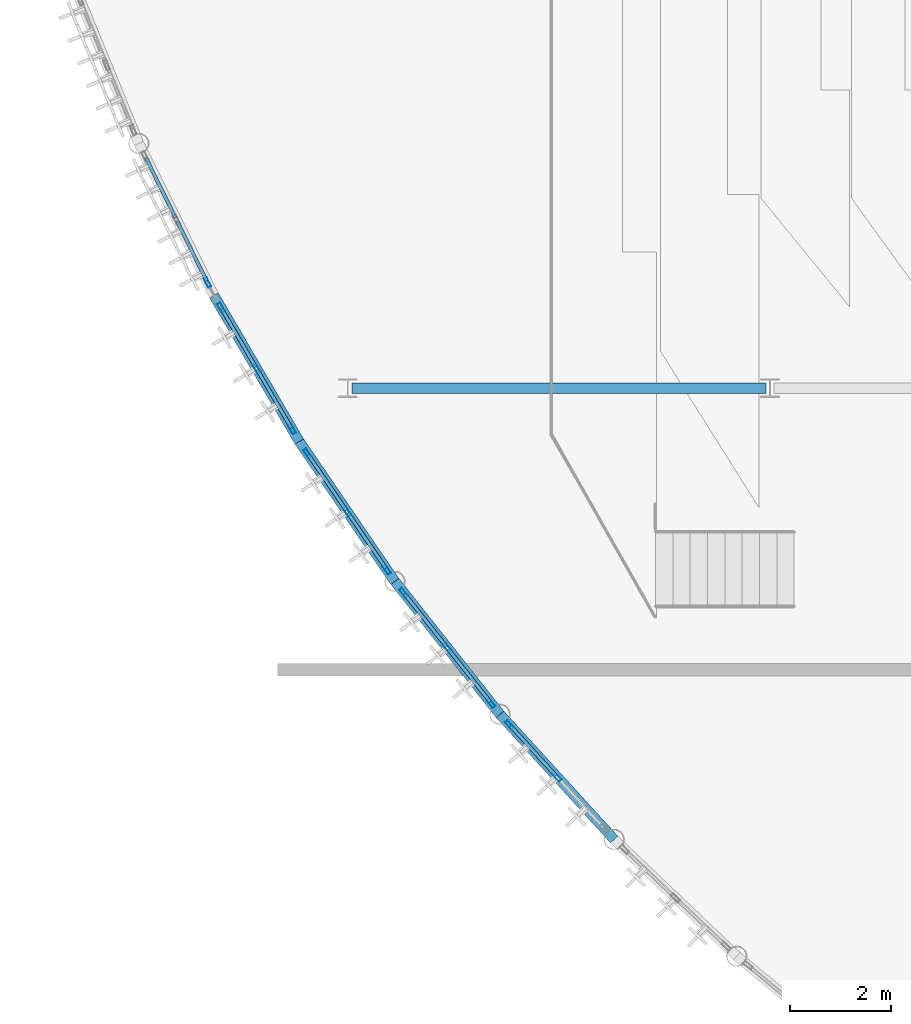
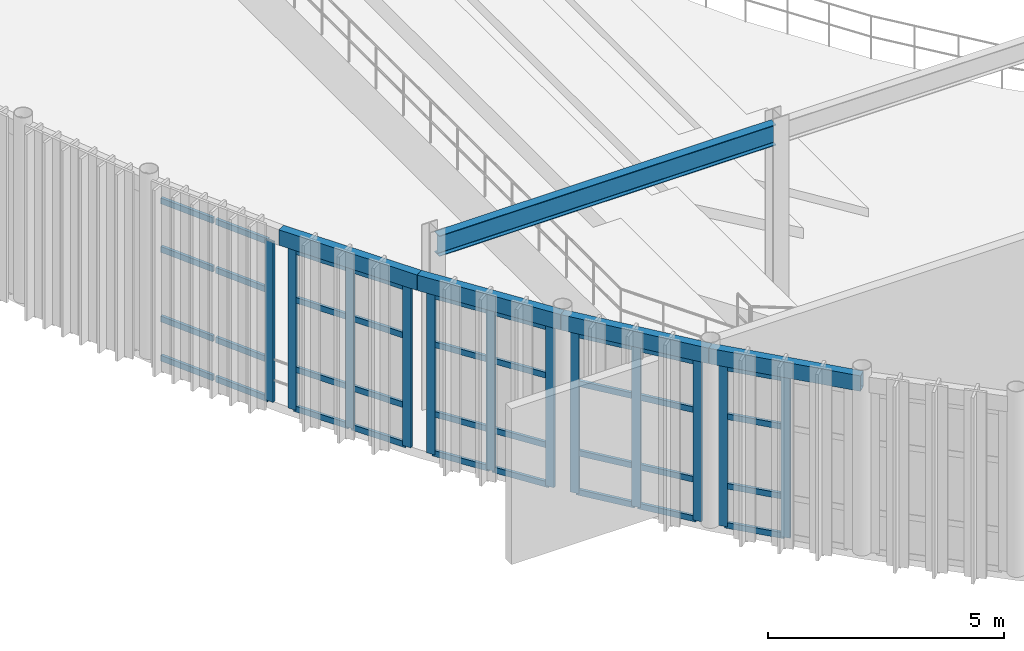
# One storey, part 23 of 116: 48 members, 5 beams, 5 elements without a shape of their own.
"""IFC4 building model written with IfcOpenShell, lengths in metres."""

from ifc_helpers import new_model, si_unit, direction, frame, origin, origin_2d, place, context, subcontext, project, spatial, hollow_rectangle, i_section, extrude, material, layer, layer_set, material_profile, profile_set, type_object, element, aggregate, save


model = new_model("IFC4")

# Units and contexts
model_context = context("Model", 3, precision=1e-05, world=origin(), true_north=direction((0.0, 1.0)))
body_context = subcontext(model_context, "Body", "Model", "MODEL_VIEW")
ifc_project = project(units=[si_unit("LENGTHUNIT", "METRE"), si_unit("AREAUNIT", "SQUARE_METRE"), si_unit("VOLUMEUNIT", "CUBIC_METRE"), si_unit("PLANEANGLEUNIT", "RADIAN"), si_unit("MASSUNIT", "GRAM", prefix="KILO")], contexts=[model_context])

# Site, building, storey
site_placement = place(None, origin())
site = spatial("IfcSite", under=ifc_project, at=site_placement, CompositionType="ELEMENT")
building_placement = place(site_placement, origin())
building = spatial("IfcBuilding", under=site, at=building_placement, Name="Selat Folded Stagehouse", CompositionType="ELEMENT")
storey_placement = place(building_placement, frame((0.0, 0.0, 5.39990234375)))
storey = spatial("IfcBuildingStorey", under=building, at=storey_placement, Name="L01", CompositionType="ELEMENT", Elevation=5.39990234375)

# Beam
ifc_material_1 = material(Name="Steel S355", Category="steel")
ifc_material_profile_1 = material_profile(ifc_material_1, i_section(OverallWidth=0.209228515625, OverallDepth=0.533203125, WebThickness=0.010009765625, FlangeThickness=0.015625, FilletRadius=0.0126953125, at=origin_2d()), Name="UKB 533x210x92")
ifc_profile_set_1 = profile_set([ifc_material_profile_1], Name="Steel S355")
beam_type_1 = type_object("IfcBeamType", Name="BM-GIRD-533x210x92", PredefinedType="BEAM", material=ifc_profile_set_1)
beam_placement = place(storey_placement, frame((8.47998046875, 23.39990234375, 4.3134765625), z_axis=(1.0, 0.0, 0.0), x_axis=(0.0, 1.0, 0.0)))
element("IfcBeam", 1, at=beam_placement, inside=storey, type_object=beam_type_1, Name="L01 primary x-girder 0776", PredefinedType="BEAM", context=body_context, shape_type="SweptSolid", body=[
    extrude(i_section(OverallWidth=0.209228515625, OverallDepth=0.533203125, WebThickness=0.010009765625, FlangeThickness=0.015625, FilletRadius=0.0126953125, at=origin_2d()), origin(), (0.0, 0.0, 1.0), 8.239990234375),
])

# Curtain wall, member
ifc_material_2 = material(Name="Aluminium 6063-T6", Category="aluminium")
ifc_layer = layer(ifc_material_2, 0.199951171875)
ifc_layer_set = layer_set([ifc_layer], Name="Aluminium 6063-T6")
curtain_wall_type = type_object("IfcCurtainWallType", Name="CW-DRM-MID", PredefinedType="NOTDEFINED", material=ifc_layer_set)
curtain_wall_1_placement = place(storey_placement, origin())
curtain_wall_1 = element("IfcCurtainWall", 2, at=curtain_wall_1_placement, inside=storey, type_object=curtain_wall_type, Name="L01 curtain wall CW-DRM-L01-08", PredefinedType="NOTDEFINED")
ifc_material_profile_2 = material_profile(ifc_material_2, hollow_rectangle(XDim=0.070068359375, YDim=0.199951171875, WallThickness=0.0048828125, at=origin_2d()), Name="ALU 200x70x5.0")
ifc_profile_set_2 = profile_set([ifc_material_profile_2], Name="Aluminium 6063-T6")
member_type_1 = type_object("IfcMemberType", Name="CWM-MUL-200x70", PredefinedType="MULLION", material=ifc_profile_set_2)
member_1_placement = place(storey_placement, frame((5.60986328125, 25.501220703125, 0.0), z_axis=(0.0, 0.0, 1.0), x_axis=(-0.896598356392, -0.442844653705, 0.0)))
member_1 = element("IfcMember", 3, at=member_1_placement, type_object=member_type_1, Name="CW-02 mullion 1", PredefinedType="MULLION", context=body_context, shape_type="SweptSolid", body=[
    extrude(hollow_rectangle(XDim=0.070068359375, YDim=0.199951171875, WallThickness=0.0048828125, at=origin_2d()), origin(), (0.0, 0.0, 1.0), 4.14013671875),
])

# Curtain wall, members
curtain_wall_2_placement = place(storey_placement, origin())
curtain_wall_2 = element("IfcCurtainWall", 4, at=curtain_wall_2_placement, inside=storey, type_object=curtain_wall_type, Name="L01 curtain wall CW-DRM-L01-09", PredefinedType="NOTDEFINED")
member_2_placement = place(storey_placement, frame((7.292236328125, 22.583251953125, 0.0), z_axis=(0.0, 0.0, 1.0), x_axis=(-0.863332305214, -0.504635839764, 0.0)))
member_2 = element("IfcMember", 5, at=member_2_placement, type_object=member_type_1, Name="CW-02 mullion 1", PredefinedType="MULLION", context=body_context, shape_type="SweptSolid", body=[
    extrude(hollow_rectangle(XDim=0.070068359375, YDim=0.199951171875, WallThickness=0.0048828125, at=origin_2d()), origin(), (0.0, 0.0, 1.0), 4.14013671875),
])
member_3_placement = place(storey_placement, frame((6.586181640625, 23.79150390625, 0.0), z_axis=(0.0, 0.0, 1.0), x_axis=(-0.863332305214, -0.504635839764, 0.0)))
member_3 = element("IfcMember", 6, at=member_3_placement, type_object=member_type_1, Name="CW-02 mullion 2", PredefinedType="MULLION", context=body_context, shape_type="SweptSolid", body=[
    extrude(hollow_rectangle(XDim=0.070068359375, YDim=0.199951171875, WallThickness=0.0048828125, at=origin_2d()), origin(), (0.0, 0.0, 1.0), 4.14013671875),
])
member_4_placement = place(storey_placement, frame((5.8798828125, 24.999755859375, 0.0), z_axis=(0.0, 0.0, 1.0), x_axis=(-0.863332305214, -0.504635839764, 0.0)))
member_4 = element("IfcMember", 7, at=member_4_placement, type_object=member_type_1, Name="CW-02 mullion 3", PredefinedType="MULLION", context=body_context, shape_type="SweptSolid", body=[
    extrude(hollow_rectangle(XDim=0.070068359375, YDim=0.199951171875, WallThickness=0.0048828125, at=origin_2d()), origin(), (0.0, 0.0, 1.0), 4.14013671875),
])

curtain_wall_3_placement = place(storey_placement, origin())
curtain_wall_3 = element("IfcCurtainWall", 8, at=curtain_wall_3_placement, inside=storey, type_object=curtain_wall_type, Name="L01 curtain wall CW-DRM-L01-10", PredefinedType="NOTDEFINED")
member_5_placement = place(storey_placement, frame((9.175537109375, 19.790283203125, 0.0), z_axis=(0.0, 0.0, 1.0), x_axis=(-0.825810483709, -0.563947732504, 0.0)))
member_5 = element("IfcMember", 9, at=member_5_placement, type_object=member_type_1, Name="CW-02 mullion 1", PredefinedType="MULLION", context=body_context, shape_type="SweptSolid", body=[
    extrude(hollow_rectangle(XDim=0.070068359375, YDim=0.199951171875, WallThickness=0.0048828125, at=origin_2d()), origin(), (0.0, 0.0, 1.0), 4.14013671875),
])
member_6_placement = place(storey_placement, frame((8.38623046875, 20.946044921875, 0.0), z_axis=(0.0, 0.0, 1.0), x_axis=(-0.825810483709, -0.563947732504, 0.0)))
member_6 = element("IfcMember", 10, at=member_6_placement, type_object=member_type_1, Name="CW-02 mullion 2", PredefinedType="MULLION", context=body_context, shape_type="SweptSolid", body=[
    extrude(hollow_rectangle(XDim=0.070068359375, YDim=0.199951171875, WallThickness=0.0048828125, at=origin_2d()), origin(), (0.0, 0.0, 1.0), 4.14013671875),
])
member_7_placement = place(storey_placement, frame((7.596923828125, 22.101806640625, 0.0), z_axis=(0.0, 0.0, 1.0), x_axis=(-0.825810483709, -0.563947732504, 0.0)))
member_7 = element("IfcMember", 11, at=member_7_placement, type_object=member_type_1, Name="CW-02 mullion 3", PredefinedType="MULLION", context=body_context, shape_type="SweptSolid", body=[
    extrude(hollow_rectangle(XDim=0.070068359375, YDim=0.199951171875, WallThickness=0.0048828125, at=origin_2d()), origin(), (0.0, 0.0, 1.0), 4.14013671875),
])

curtain_wall_4_placement = place(storey_placement, origin())
curtain_wall_4 = element("IfcCurtainWall", 12, at=curtain_wall_4_placement, inside=storey, type_object=curtain_wall_type, Name="L01 curtain wall CW-DRM-L01-11", PredefinedType="NOTDEFINED")
member_8_placement = place(storey_placement, frame((11.25, 17.13671875, 0.0), z_axis=(0.0, 0.0, 1.0), x_axis=(-0.784180094825, -0.620533301992, 0.0)))
member_8 = element("IfcMember", 13, at=member_8_placement, type_object=member_type_1, Name="CW-02 mullion 1", PredefinedType="MULLION", context=body_context, shape_type="SweptSolid", body=[
    extrude(hollow_rectangle(XDim=0.070068359375, YDim=0.199951171875, WallThickness=0.0048828125, at=origin_2d()), origin(), (0.0, 0.0, 1.0), 4.14013671875),
])
member_9_placement = place(storey_placement, frame((10.38134765625, 18.234130859375, 0.0), z_axis=(0.0, 0.0, 1.0), x_axis=(-0.784180094825, -0.620533301992, 0.0)))
member_9 = element("IfcMember", 14, at=member_9_placement, type_object=member_type_1, Name="CW-02 mullion 2", PredefinedType="MULLION", context=body_context, shape_type="SweptSolid", body=[
    extrude(hollow_rectangle(XDim=0.070068359375, YDim=0.199951171875, WallThickness=0.0048828125, at=origin_2d()), origin(), (0.0, 0.0, 1.0), 4.14013671875),
])
member_10_placement = place(storey_placement, frame((9.512939453125, 19.33154296875, 0.0), z_axis=(0.0, 0.0, 1.0), x_axis=(-0.784180094825, -0.620533301992, 0.0)))
member_10 = element("IfcMember", 15, at=member_10_placement, type_object=member_type_1, Name="CW-02 mullion 3", PredefinedType="MULLION", context=body_context, shape_type="SweptSolid", body=[
    extrude(hollow_rectangle(XDim=0.070068359375, YDim=0.199951171875, WallThickness=0.0048828125, at=origin_2d()), origin(), (0.0, 0.0, 1.0), 4.14013671875),
])

curtain_wall_5_placement = place(storey_placement, origin())
curtain_wall_5 = element("IfcCurtainWall", 16, at=curtain_wall_5_placement, inside=storey, type_object=curtain_wall_type, Name="L01 curtain wall CW-DRM-L01-12", PredefinedType="NOTDEFINED")
member_11_placement = place(storey_placement, frame((12.56201171875, 15.668701171875, 0.0), z_axis=(0.0, 0.0, 1.0), x_axis=(-0.738729183213, -0.674002369336, 0.0)))
member_11 = element("IfcMember", 17, at=member_11_placement, type_object=member_type_1, Name="CW-02 mullion 2", PredefinedType="MULLION", context=body_context, shape_type="SweptSolid", body=[
    extrude(hollow_rectangle(XDim=0.070068359375, YDim=0.199951171875, WallThickness=0.0048828125, at=origin_2d()), origin(), (0.0, 0.0, 1.0), 4.14013671875),
])
member_12_placement = place(storey_placement, frame((11.618896484375, 16.70263671875, 0.0), z_axis=(0.0, 0.0, 1.0), x_axis=(-0.738729183213, -0.674002369336, 0.0)))
member_12 = element("IfcMember", 18, at=member_12_placement, type_object=member_type_1, Name="CW-02 mullion 3", PredefinedType="MULLION", context=body_context, shape_type="SweptSolid", body=[
    extrude(hollow_rectangle(XDim=0.070068359375, YDim=0.199951171875, WallThickness=0.0048828125, at=origin_2d()), origin(), (0.0, 0.0, 1.0), 4.14013671875),
])

# Member
ifc_material_profile_3 = material_profile(ifc_material_2, hollow_rectangle(XDim=0.070068359375, YDim=0.14990234375, WallThickness=0.00390625, at=origin_2d()), Name="ALU 150x70x4.0")
ifc_profile_set_3 = profile_set([ifc_material_profile_3], Name="Aluminium 6063-T6")
member_type_2 = type_object("IfcMemberType", Name="CWM-TRN-150x70", PredefinedType="USERDEFINED", material=ifc_profile_set_3)
member_13_placement = place(storey_placement, frame((5.59423828125, 25.532470703125, 0.03515625), z_axis=(-0.442727457561, 0.896656231965, 0.0), x_axis=(-0.896656231965, -0.442727457561, 0.0)))
member_13 = element("IfcMember", 19, at=member_13_placement, type_object=member_type_2, Name="CW-02 transom 1.1", ObjectType="TRANSOM", PredefinedType="USERDEFINED", context=body_context, shape_type="SweptSolid", body=[
    extrude(hollow_rectangle(XDim=0.070068359375, YDim=0.14990234375, WallThickness=0.00390625, at=origin_2d()), origin(), (0.0, 0.0, 1.0), 1.32958984375),
])

member_14_placement = place(storey_placement, frame((5.59423828125, 25.532470703125, 1.050048828125), z_axis=(-0.442727457561, 0.896656231965, 0.0), x_axis=(-0.896656231965, -0.442727457561, 0.0)))
member_14 = element("IfcMember", 20, at=member_14_placement, type_object=member_type_2, Name="CW-02 transom 1.2", ObjectType="TRANSOM", PredefinedType="USERDEFINED", context=body_context, shape_type="SweptSolid", body=[
    extrude(hollow_rectangle(XDim=0.070068359375, YDim=0.14990234375, WallThickness=0.00390625, at=origin_2d()), origin(), (0.0, 0.0, 1.0), 1.32958984375),
])

member_15_placement = place(storey_placement, frame((5.59423828125, 25.532470703125, 2.85009765625), z_axis=(-0.442727457561, 0.896656231965, 0.0), x_axis=(-0.896656231965, -0.442727457561, 0.0)))
member_15 = element("IfcMember", 21, at=member_15_placement, type_object=member_type_2, Name="CW-02 transom 1.3", ObjectType="TRANSOM", PredefinedType="USERDEFINED", context=body_context, shape_type="SweptSolid", body=[
    extrude(hollow_rectangle(XDim=0.070068359375, YDim=0.14990234375, WallThickness=0.00390625, at=origin_2d()), origin(), (0.0, 0.0, 1.0), 1.32958984375),
])

member_16_placement = place(storey_placement, frame((5.59423828125, 25.532470703125, 4.10498046875), z_axis=(-0.442727457561, 0.896656231965, 0.0), x_axis=(-0.896656231965, -0.442727457561, 0.0)))
member_16 = element("IfcMember", 22, at=member_16_placement, type_object=member_type_2, Name="CW-02 transom 1.4", ObjectType="TRANSOM", PredefinedType="USERDEFINED", context=body_context, shape_type="SweptSolid", body=[
    extrude(hollow_rectangle(XDim=0.070068359375, YDim=0.14990234375, WallThickness=0.00390625, at=origin_2d()), origin(), (0.0, 0.0, 1.0), 1.32958984375),
])

member_17_placement = place(storey_placement, frame((4.974609375, 26.787353515625, 0.03515625), z_axis=(-0.44287507519, 0.896583330079, 0.0), x_axis=(-0.896583330079, -0.44287507519, 0.0)))
member_17 = element("IfcMember", 23, at=member_17_placement, type_object=member_type_2, Name="CW-02 transom 2.1", ObjectType="TRANSOM", PredefinedType="USERDEFINED", context=body_context, shape_type="SweptSolid", body=[
    extrude(hollow_rectangle(XDim=0.070068359375, YDim=0.14990234375, WallThickness=0.00390625, at=origin_2d()), origin(), (0.0, 0.0, 1.0), 1.32958984375),
])

member_18_placement = place(storey_placement, frame((4.974609375, 26.787353515625, 1.050048828125), z_axis=(-0.44287507519, 0.896583330079, 0.0), x_axis=(-0.896583330079, -0.44287507519, 0.0)))
member_18 = element("IfcMember", 24, at=member_18_placement, type_object=member_type_2, Name="CW-02 transom 2.2", ObjectType="TRANSOM", PredefinedType="USERDEFINED", context=body_context, shape_type="SweptSolid", body=[
    extrude(hollow_rectangle(XDim=0.070068359375, YDim=0.14990234375, WallThickness=0.00390625, at=origin_2d()), origin(), (0.0, 0.0, 1.0), 1.32958984375),
])

member_19_placement = place(storey_placement, frame((4.974609375, 26.787353515625, 2.85009765625), z_axis=(-0.44287507519, 0.896583330079, 0.0), x_axis=(-0.896583330079, -0.44287507519, 0.0)))
member_19 = element("IfcMember", 25, at=member_19_placement, type_object=member_type_2, Name="CW-02 transom 2.3", ObjectType="TRANSOM", PredefinedType="USERDEFINED", context=body_context, shape_type="SweptSolid", body=[
    extrude(hollow_rectangle(XDim=0.070068359375, YDim=0.14990234375, WallThickness=0.00390625, at=origin_2d()), origin(), (0.0, 0.0, 1.0), 1.32958984375),
])

member_20_placement = place(storey_placement, frame((4.974609375, 26.787353515625, 4.10498046875), z_axis=(-0.44287507519, 0.896583330079, 0.0), x_axis=(-0.896583330079, -0.44287507519, 0.0)))
member_20 = element("IfcMember", 26, at=member_20_placement, type_object=member_type_2, Name="CW-02 transom 2.4", ObjectType="TRANSOM", PredefinedType="USERDEFINED", context=body_context, shape_type="SweptSolid", body=[
    extrude(hollow_rectangle(XDim=0.070068359375, YDim=0.14990234375, WallThickness=0.00390625, at=origin_2d()), origin(), (0.0, 0.0, 1.0), 1.32958984375),
])

aggregate(curtain_wall_1, [member_1, member_13, member_14, member_15, member_16, member_17, member_18, member_19, member_20])

member_21_placement = place(storey_placement, frame((7.274658203125, 22.613525390625, 0.03515625), z_axis=(-0.504658684993, 0.863318951293, 0.0), x_axis=(-0.863318951293, -0.504658684993, 0.0)))
member_21 = element("IfcMember", 27, at=member_21_placement, type_object=member_type_2, Name="CW-02 transom 1.1", ObjectType="TRANSOM", PredefinedType="USERDEFINED", context=body_context, shape_type="SweptSolid", body=[
    extrude(hollow_rectangle(XDim=0.070068359375, YDim=0.14990234375, WallThickness=0.00390625, at=origin_2d()), origin(), (0.0, 0.0, 1.0), 1.329345703125),
])

member_22_placement = place(storey_placement, frame((7.274658203125, 22.613525390625, 1.050048828125), z_axis=(-0.504658684993, 0.863318951293, 0.0), x_axis=(-0.863318951293, -0.504658684993, 0.0)))
member_22 = element("IfcMember", 28, at=member_22_placement, type_object=member_type_2, Name="CW-02 transom 1.2", ObjectType="TRANSOM", PredefinedType="USERDEFINED", context=body_context, shape_type="SweptSolid", body=[
    extrude(hollow_rectangle(XDim=0.070068359375, YDim=0.14990234375, WallThickness=0.00390625, at=origin_2d()), origin(), (0.0, 0.0, 1.0), 1.329345703125),
])

member_23_placement = place(storey_placement, frame((7.274658203125, 22.613525390625, 2.85009765625), z_axis=(-0.504658684993, 0.863318951293, 0.0), x_axis=(-0.863318951293, -0.504658684993, 0.0)))
member_23 = element("IfcMember", 29, at=member_23_placement, type_object=member_type_2, Name="CW-02 transom 1.3", ObjectType="TRANSOM", PredefinedType="USERDEFINED", context=body_context, shape_type="SweptSolid", body=[
    extrude(hollow_rectangle(XDim=0.070068359375, YDim=0.14990234375, WallThickness=0.00390625, at=origin_2d()), origin(), (0.0, 0.0, 1.0), 1.329345703125),
])

member_24_placement = place(storey_placement, frame((7.274658203125, 22.613525390625, 4.10498046875), z_axis=(-0.504658684993, 0.863318951293, 0.0), x_axis=(-0.863318951293, -0.504658684993, 0.0)))
member_24 = element("IfcMember", 30, at=member_24_placement, type_object=member_type_2, Name="CW-02 transom 1.4", ObjectType="TRANSOM", PredefinedType="USERDEFINED", context=body_context, shape_type="SweptSolid", body=[
    extrude(hollow_rectangle(XDim=0.070068359375, YDim=0.14990234375, WallThickness=0.00390625, at=origin_2d()), origin(), (0.0, 0.0, 1.0), 1.329345703125),
])

member_25_placement = place(storey_placement, frame((6.568359375, 23.82177734375, 0.03515625), z_axis=(-0.504658684993, 0.863318951293, 0.0), x_axis=(-0.863318951293, -0.504658684993, 0.0)))
member_25 = element("IfcMember", 31, at=member_25_placement, type_object=member_type_2, Name="CW-02 transom 2.1", ObjectType="TRANSOM", PredefinedType="USERDEFINED", context=body_context, shape_type="SweptSolid", body=[
    extrude(hollow_rectangle(XDim=0.070068359375, YDim=0.14990234375, WallThickness=0.00390625, at=origin_2d()), origin(), (0.0, 0.0, 1.0), 1.329345703125),
])

member_26_placement = place(storey_placement, frame((6.568359375, 23.82177734375, 1.050048828125), z_axis=(-0.504658684993, 0.863318951293, 0.0), x_axis=(-0.863318951293, -0.504658684993, 0.0)))
member_26 = element("IfcMember", 32, at=member_26_placement, type_object=member_type_2, Name="CW-02 transom 2.2", ObjectType="TRANSOM", PredefinedType="USERDEFINED", context=body_context, shape_type="SweptSolid", body=[
    extrude(hollow_rectangle(XDim=0.070068359375, YDim=0.14990234375, WallThickness=0.00390625, at=origin_2d()), origin(), (0.0, 0.0, 1.0), 1.329345703125),
])

member_27_placement = place(storey_placement, frame((6.568359375, 23.82177734375, 2.85009765625), z_axis=(-0.504658684993, 0.863318951293, 0.0), x_axis=(-0.863318951293, -0.504658684993, 0.0)))
member_27 = element("IfcMember", 33, at=member_27_placement, type_object=member_type_2, Name="CW-02 transom 2.3", ObjectType="TRANSOM", PredefinedType="USERDEFINED", context=body_context, shape_type="SweptSolid", body=[
    extrude(hollow_rectangle(XDim=0.070068359375, YDim=0.14990234375, WallThickness=0.00390625, at=origin_2d()), origin(), (0.0, 0.0, 1.0), 1.329345703125),
])

member_28_placement = place(storey_placement, frame((6.568359375, 23.82177734375, 4.10498046875), z_axis=(-0.504658684993, 0.863318951293, 0.0), x_axis=(-0.863318951293, -0.504658684993, 0.0)))
member_28 = element("IfcMember", 34, at=member_28_placement, type_object=member_type_2, Name="CW-02 transom 2.4", ObjectType="TRANSOM", PredefinedType="USERDEFINED", context=body_context, shape_type="SweptSolid", body=[
    extrude(hollow_rectangle(XDim=0.070068359375, YDim=0.14990234375, WallThickness=0.00390625, at=origin_2d()), origin(), (0.0, 0.0, 1.0), 1.329345703125),
])

aggregate(curtain_wall_2, [member_2, member_3, member_4, member_21, member_22, member_23, member_24, member_25, member_26, member_27, member_28])

member_29_placement = place(storey_placement, frame((9.15576171875, 19.8193359375, 0.03515625), z_axis=(-0.563946374096, 0.825811411367, 0.0), x_axis=(-0.825811411367, -0.563946374096, 0.0)))
member_29 = element("IfcMember", 35, at=member_29_placement, type_object=member_type_2, Name="CW-02 transom 1.1", ObjectType="TRANSOM", PredefinedType="USERDEFINED", context=body_context, shape_type="SweptSolid", body=[
    extrude(hollow_rectangle(XDim=0.070068359375, YDim=0.14990234375, WallThickness=0.00390625, at=origin_2d()), origin(), (0.0, 0.0, 1.0), 1.32958984375),
])

member_30_placement = place(storey_placement, frame((9.15576171875, 19.8193359375, 1.050048828125), z_axis=(-0.563946374096, 0.825811411367, 0.0), x_axis=(-0.825811411367, -0.563946374096, 0.0)))
member_30 = element("IfcMember", 36, at=member_30_placement, type_object=member_type_2, Name="CW-02 transom 1.2", ObjectType="TRANSOM", PredefinedType="USERDEFINED", context=body_context, shape_type="SweptSolid", body=[
    extrude(hollow_rectangle(XDim=0.070068359375, YDim=0.14990234375, WallThickness=0.00390625, at=origin_2d()), origin(), (0.0, 0.0, 1.0), 1.32958984375),
])

member_31_placement = place(storey_placement, frame((9.15576171875, 19.8193359375, 2.85009765625), z_axis=(-0.563946374096, 0.825811411367, 0.0), x_axis=(-0.825811411367, -0.563946374096, 0.0)))
member_31 = element("IfcMember", 37, at=member_31_placement, type_object=member_type_2, Name="CW-02 transom 1.3", ObjectType="TRANSOM", PredefinedType="USERDEFINED", context=body_context, shape_type="SweptSolid", body=[
    extrude(hollow_rectangle(XDim=0.070068359375, YDim=0.14990234375, WallThickness=0.00390625, at=origin_2d()), origin(), (0.0, 0.0, 1.0), 1.32958984375),
])

member_32_placement = place(storey_placement, frame((9.15576171875, 19.8193359375, 4.10498046875), z_axis=(-0.563946374096, 0.825811411367, 0.0), x_axis=(-0.825811411367, -0.563946374096, 0.0)))
member_32 = element("IfcMember", 38, at=member_32_placement, type_object=member_type_2, Name="CW-02 transom 1.4", ObjectType="TRANSOM", PredefinedType="USERDEFINED", context=body_context, shape_type="SweptSolid", body=[
    extrude(hollow_rectangle(XDim=0.070068359375, YDim=0.14990234375, WallThickness=0.00390625, at=origin_2d()), origin(), (0.0, 0.0, 1.0), 1.32958984375),
])

member_33_placement = place(storey_placement, frame((8.366455078125, 20.97509765625, 0.03515625), z_axis=(-0.563946374096, 0.825811411367, 0.0), x_axis=(-0.825811411367, -0.563946374096, 0.0)))
member_33 = element("IfcMember", 39, at=member_33_placement, type_object=member_type_2, Name="CW-02 transom 2.1", ObjectType="TRANSOM", PredefinedType="USERDEFINED", context=body_context, shape_type="SweptSolid", body=[
    extrude(hollow_rectangle(XDim=0.070068359375, YDim=0.14990234375, WallThickness=0.00390625, at=origin_2d()), origin(), (0.0, 0.0, 1.0), 1.32958984375),
])

member_34_placement = place(storey_placement, frame((8.366455078125, 20.97509765625, 1.050048828125), z_axis=(-0.563946374096, 0.825811411367, 0.0), x_axis=(-0.825811411367, -0.563946374096, 0.0)))
member_34 = element("IfcMember", 40, at=member_34_placement, type_object=member_type_2, Name="CW-02 transom 2.2", ObjectType="TRANSOM", PredefinedType="USERDEFINED", context=body_context, shape_type="SweptSolid", body=[
    extrude(hollow_rectangle(XDim=0.070068359375, YDim=0.14990234375, WallThickness=0.00390625, at=origin_2d()), origin(), (0.0, 0.0, 1.0), 1.32958984375),
])

member_35_placement = place(storey_placement, frame((8.366455078125, 20.97509765625, 2.85009765625), z_axis=(-0.563946374096, 0.825811411367, 0.0), x_axis=(-0.825811411367, -0.563946374096, 0.0)))
member_35 = element("IfcMember", 41, at=member_35_placement, type_object=member_type_2, Name="CW-02 transom 2.3", ObjectType="TRANSOM", PredefinedType="USERDEFINED", context=body_context, shape_type="SweptSolid", body=[
    extrude(hollow_rectangle(XDim=0.070068359375, YDim=0.14990234375, WallThickness=0.00390625, at=origin_2d()), origin(), (0.0, 0.0, 1.0), 1.32958984375),
])

member_36_placement = place(storey_placement, frame((8.366455078125, 20.97509765625, 4.10498046875), z_axis=(-0.563946374096, 0.825811411367, 0.0), x_axis=(-0.825811411367, -0.563946374096, 0.0)))
member_36 = element("IfcMember", 42, at=member_36_placement, type_object=member_type_2, Name="CW-02 transom 2.4", ObjectType="TRANSOM", PredefinedType="USERDEFINED", context=body_context, shape_type="SweptSolid", body=[
    extrude(hollow_rectangle(XDim=0.070068359375, YDim=0.14990234375, WallThickness=0.00390625, at=origin_2d()), origin(), (0.0, 0.0, 1.0), 1.32958984375),
])

aggregate(curtain_wall_3, [member_5, member_6, member_7, member_29, member_30, member_31, member_32, member_33, member_34, member_35, member_36])

member_37_placement = place(storey_placement, frame((11.228271484375, 17.1640625, 0.03515625), z_axis=(-0.620655909906, 0.784083057781, 0.0), x_axis=(-0.784083057781, -0.620655909906, 0.0)))
member_37 = element("IfcMember", 43, at=member_37_placement, type_object=member_type_2, Name="CW-02 transom 1.1", ObjectType="TRANSOM", PredefinedType="USERDEFINED", context=body_context, shape_type="SweptSolid", body=[
    extrude(hollow_rectangle(XDim=0.070068359375, YDim=0.14990234375, WallThickness=0.00390625, at=origin_2d()), origin(), (0.0, 0.0, 1.0), 1.32958984375),
])

member_38_placement = place(storey_placement, frame((11.228271484375, 17.1640625, 1.050048828125), z_axis=(-0.620655909906, 0.784083057781, 0.0), x_axis=(-0.784083057781, -0.620655909906, 0.0)))
member_38 = element("IfcMember", 44, at=member_38_placement, type_object=member_type_2, Name="CW-02 transom 1.2", ObjectType="TRANSOM", PredefinedType="USERDEFINED", context=body_context, shape_type="SweptSolid", body=[
    extrude(hollow_rectangle(XDim=0.070068359375, YDim=0.14990234375, WallThickness=0.00390625, at=origin_2d()), origin(), (0.0, 0.0, 1.0), 1.32958984375),
])

member_39_placement = place(storey_placement, frame((11.228271484375, 17.1640625, 2.85009765625), z_axis=(-0.620655909906, 0.784083057781, 0.0), x_axis=(-0.784083057781, -0.620655909906, 0.0)))
member_39 = element("IfcMember", 45, at=member_39_placement, type_object=member_type_2, Name="CW-02 transom 1.3", ObjectType="TRANSOM", PredefinedType="USERDEFINED", context=body_context, shape_type="SweptSolid", body=[
    extrude(hollow_rectangle(XDim=0.070068359375, YDim=0.14990234375, WallThickness=0.00390625, at=origin_2d()), origin(), (0.0, 0.0, 1.0), 1.32958984375),
])

member_40_placement = place(storey_placement, frame((11.228271484375, 17.1640625, 4.10498046875), z_axis=(-0.620655909906, 0.784083057781, 0.0), x_axis=(-0.784083057781, -0.620655909906, 0.0)))
member_40 = element("IfcMember", 46, at=member_40_placement, type_object=member_type_2, Name="CW-02 transom 1.4", ObjectType="TRANSOM", PredefinedType="USERDEFINED", context=body_context, shape_type="SweptSolid", body=[
    extrude(hollow_rectangle(XDim=0.070068359375, YDim=0.14990234375, WallThickness=0.00390625, at=origin_2d()), origin(), (0.0, 0.0, 1.0), 1.32958984375),
])

member_41_placement = place(storey_placement, frame((10.359619140625, 18.261474609375, 0.03515625), z_axis=(-0.620453643768, 0.784243122976, 0.0), x_axis=(-0.784243122976, -0.620453643768, 0.0)))
member_41 = element("IfcMember", 47, at=member_41_placement, type_object=member_type_2, Name="CW-02 transom 2.1", ObjectType="TRANSOM", PredefinedType="USERDEFINED", context=body_context, shape_type="SweptSolid", body=[
    extrude(hollow_rectangle(XDim=0.070068359375, YDim=0.14990234375, WallThickness=0.00390625, at=origin_2d()), origin(), (0.0, 0.0, 1.0), 1.32958984375),
])

member_42_placement = place(storey_placement, frame((10.359619140625, 18.261474609375, 1.050048828125), z_axis=(-0.620453643768, 0.784243122976, 0.0), x_axis=(-0.784243122976, -0.620453643768, 0.0)))
member_42 = element("IfcMember", 48, at=member_42_placement, type_object=member_type_2, Name="CW-02 transom 2.2", ObjectType="TRANSOM", PredefinedType="USERDEFINED", context=body_context, shape_type="SweptSolid", body=[
    extrude(hollow_rectangle(XDim=0.070068359375, YDim=0.14990234375, WallThickness=0.00390625, at=origin_2d()), origin(), (0.0, 0.0, 1.0), 1.32958984375),
])

member_43_placement = place(storey_placement, frame((10.359619140625, 18.261474609375, 2.85009765625), z_axis=(-0.620453643768, 0.784243122976, 0.0), x_axis=(-0.784243122976, -0.620453643768, 0.0)))
member_43 = element("IfcMember", 49, at=member_43_placement, type_object=member_type_2, Name="CW-02 transom 2.3", ObjectType="TRANSOM", PredefinedType="USERDEFINED", context=body_context, shape_type="SweptSolid", body=[
    extrude(hollow_rectangle(XDim=0.070068359375, YDim=0.14990234375, WallThickness=0.00390625, at=origin_2d()), origin(), (0.0, 0.0, 1.0), 1.32958984375),
])

member_44_placement = place(storey_placement, frame((10.359619140625, 18.261474609375, 4.10498046875), z_axis=(-0.620453643768, 0.784243122976, 0.0), x_axis=(-0.784243122976, -0.620453643768, 0.0)))
member_44 = element("IfcMember", 50, at=member_44_placement, type_object=member_type_2, Name="CW-02 transom 2.4", ObjectType="TRANSOM", PredefinedType="USERDEFINED", context=body_context, shape_type="SweptSolid", body=[
    extrude(hollow_rectangle(XDim=0.070068359375, YDim=0.14990234375, WallThickness=0.00390625, at=origin_2d()), origin(), (0.0, 0.0, 1.0), 1.32958984375),
])

aggregate(curtain_wall_4, [member_8, member_9, member_10, member_37, member_38, member_39, member_40, member_41, member_42, member_43, member_44])

member_45_placement = place(storey_placement, frame((12.53857421875, 15.694580078125, 0.03515625), z_axis=(-0.674051646523, 0.738684220638, 0.0), x_axis=(-0.738684220638, -0.674051646523, 0.0)))
member_45 = element("IfcMember", 51, at=member_45_placement, type_object=member_type_2, Name="CW-02 transom 2.1", ObjectType="TRANSOM", PredefinedType="USERDEFINED", context=body_context, shape_type="SweptSolid", body=[
    extrude(hollow_rectangle(XDim=0.070068359375, YDim=0.14990234375, WallThickness=0.00390625, at=origin_2d()), origin(), (0.0, 0.0, 1.0), 1.32958984375),
])

member_46_placement = place(storey_placement, frame((12.53857421875, 15.694580078125, 1.050048828125), z_axis=(-0.674051646523, 0.738684220638, 0.0), x_axis=(-0.738684220638, -0.674051646523, 0.0)))
member_46 = element("IfcMember", 52, at=member_46_placement, type_object=member_type_2, Name="CW-02 transom 2.2", ObjectType="TRANSOM", PredefinedType="USERDEFINED", context=body_context, shape_type="SweptSolid", body=[
    extrude(hollow_rectangle(XDim=0.070068359375, YDim=0.14990234375, WallThickness=0.00390625, at=origin_2d()), origin(), (0.0, 0.0, 1.0), 1.32958984375),
])

member_47_placement = place(storey_placement, frame((12.53857421875, 15.694580078125, 2.85009765625), z_axis=(-0.674051646523, 0.738684220638, 0.0), x_axis=(-0.738684220638, -0.674051646523, 0.0)))
member_47 = element("IfcMember", 53, at=member_47_placement, type_object=member_type_2, Name="CW-02 transom 2.3", ObjectType="TRANSOM", PredefinedType="USERDEFINED", context=body_context, shape_type="SweptSolid", body=[
    extrude(hollow_rectangle(XDim=0.070068359375, YDim=0.14990234375, WallThickness=0.00390625, at=origin_2d()), origin(), (0.0, 0.0, 1.0), 1.32958984375),
])

member_48_placement = place(storey_placement, frame((12.53857421875, 15.694580078125, 4.10498046875), z_axis=(-0.674051646523, 0.738684220638, 0.0), x_axis=(-0.738684220638, -0.674051646523, 0.0)))
member_48 = element("IfcMember", 54, at=member_48_placement, type_object=member_type_2, Name="CW-02 transom 2.4", ObjectType="TRANSOM", PredefinedType="USERDEFINED", context=body_context, shape_type="SweptSolid", body=[
    extrude(hollow_rectangle(XDim=0.070068359375, YDim=0.14990234375, WallThickness=0.00390625, at=origin_2d()), origin(), (0.0, 0.0, 1.0), 1.32958984375),
])

aggregate(curtain_wall_5, [member_11, member_12, member_45, member_46, member_47, member_48])

# Beams
ifc_material_profile_4 = material_profile(ifc_material_1, hollow_rectangle(XDim=0.199951171875, YDim=0.39990234375, WallThickness=0.012451171875, at=origin_2d()), Name="RHS 400x200x12.5")
ifc_profile_set_4 = profile_set([ifc_material_profile_4], Name="Steel S355")
beam_type_2 = type_object("IfcBeamType", Name="SPD-EXT-400x200", PredefinedType="SPANDREL", material=ifc_profile_set_4)
for number, where, z_axis, x_axis, name in (
    (55, (5.736083984375, 25.24560546875, 4.380126953125), (0.504668336107, -0.863313309599, 0.0), (0.863313309599, 0.504668336107, 0.0), "L01 curved drum spandrel beam 10"),
    (56, (7.436279296875, 22.337158203125, 4.380126953125), (0.563964056933, -0.825799335485, 0.0), (0.825799335485, 0.563964056933, 0.0), "L01 curved drum spandrel beam 11"),
):
    element("IfcBeam", number, at=place(storey_placement, frame(where, z_axis=z_axis, x_axis=x_axis)), inside=storey, type_object=beam_type_2, Name=name, PredefinedType="SPANDREL", context=body_context, shape_type="SweptSolid", body=[
        extrude(hollow_rectangle(XDim=0.199951171875, YDim=0.39990234375, WallThickness=0.012451171875, at=origin_2d()), origin(), (0.0, 0.0, 1.0), 3.368896484375),
    ])
for number, where, z_axis, x_axis, name in (
    (57, (9.336181640625, 19.55517578125, 4.380126953125), (0.62050618255, -0.784201554077, 0.0), (0.784201554077, 0.62050618255, 0.0), "L01 curved drum spandrel beam 12"),
    (58, (11.4267578125, 16.9130859375, 4.380126953125), (0.674009862858, -0.738722346197, 0.0), (0.738722346197, 0.674009862858, 0.0), "L01 curved drum spandrel beam 13"),
):
    element("IfcBeam", number, at=place(storey_placement, frame(where, z_axis=z_axis, x_axis=x_axis)), inside=storey, type_object=beam_type_2, Name=name, PredefinedType="SPANDREL", context=body_context, shape_type="SweptSolid", body=[
        extrude(hollow_rectangle(XDim=0.199951171875, YDim=0.39990234375, WallThickness=0.012451171875, at=origin_2d()), origin(), (0.0, 0.0, 1.0), 3.369140625),
    ])

save(model, "model.ifc")
